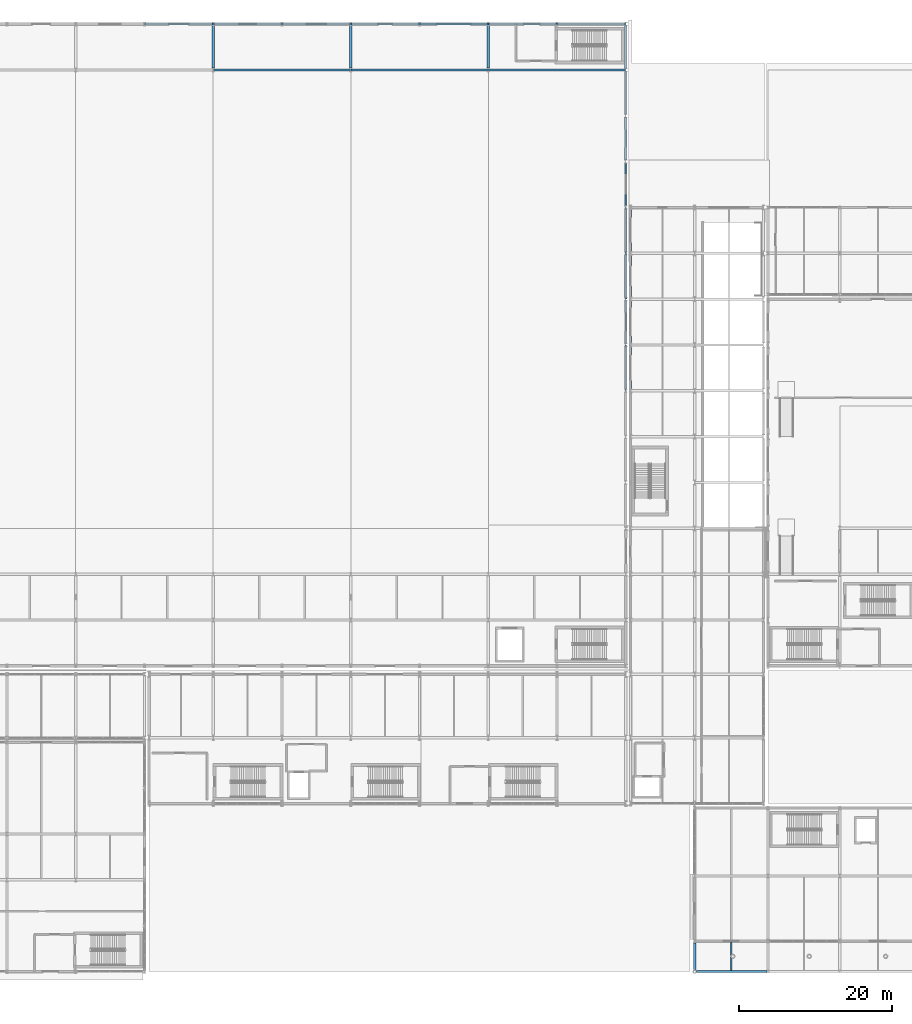
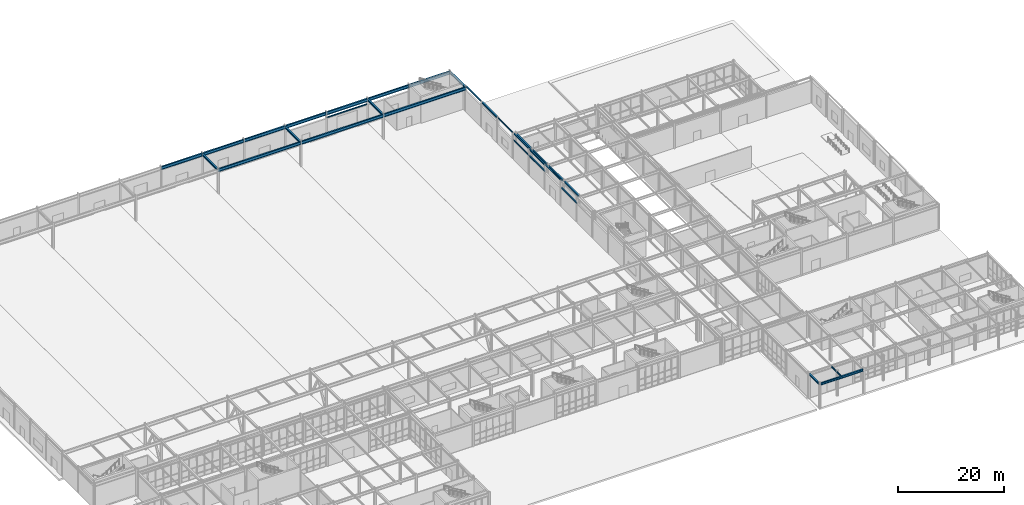
# One storey, part 69 of 146: 31 beams.
"""IFC4 building model written with IfcOpenShell, lengths in metres."""

from ifc_helpers import new_model, si_unit, direction, frame, origin, origin_2d, place, context, subcontext, project, spatial, i_section, extrude, material, material_profile, profile_set, type_object, element, save


model = new_model("IFC4")

# Units and contexts
model_context = context("Model", 3, precision=1e-05, world=origin(), true_north=direction((0.0, 1.0)))
body_context = subcontext(model_context, "Body", "Model", "MODEL_VIEW")
ifc_project = project(units=[si_unit("LENGTHUNIT", "METRE"), si_unit("AREAUNIT", "SQUARE_METRE"), si_unit("VOLUMEUNIT", "CUBIC_METRE"), si_unit("PLANEANGLEUNIT", "RADIAN"), si_unit("MASSUNIT", "GRAM", prefix="KILO")], contexts=[model_context])

# Site, building, storey
site_placement = place(None, origin())
site = spatial("IfcSite", under=ifc_project, at=site_placement, CompositionType="ELEMENT")
building_placement = place(site_placement, origin())
building = spatial("IfcBuilding", under=site, at=building_placement, Name="Kaldris Quays Convention Centre", CompositionType="ELEMENT")
storey_placement = place(building_placement, origin())
storey = spatial("IfcBuildingStorey", under=building, at=storey_placement, Name="L00", CompositionType="ELEMENT", Elevation=0.0)

# Beams
ifc_material = material(Name="Steel S355J2", Category="steel")
ifc_material_profile_1 = material_profile(ifc_material, i_section(OverallWidth=0.300048828125, OverallDepth=0.699951171875, WebThickness=0.01708984375, FlangeThickness=0.031982421875, FilletRadius=0.027099609375, at=origin_2d()), Name="HEB 700")
ifc_profile_set_1 = profile_set([ifc_material_profile_1], Name="Steel S355J2")
beam_type_1 = type_object("IfcBeamType", Name="STRUCTURAL BEAM BM04", PredefinedType="BEAM", material=ifc_profile_set_1)
for number, where, z_axis, x_axis, name in (
    (1, (92.0009765625, 134.0, 5.3330078125), (1.0, 0.0, 0.0), (0.0, 1.0, 0.0), "L00 Girder BM04 33"),
    (2, (110.0009765625, 134.0, 5.3330078125), (1.0, 0.0, 0.0), (0.0, 1.0, 0.0), "L00 Girder BM04 34"),
):
    element("IfcBeam", number, at=place(storey_placement, frame(where, z_axis=z_axis, x_axis=x_axis)), inside=storey, type_object=beam_type_1, Name=name, PredefinedType="BEAM", context=body_context, shape_type="SweptSolid", body=[
        extrude(i_section(OverallWidth=0.300048828125, OverallDepth=0.699951171875, WebThickness=0.01708984375, FlangeThickness=0.031982421875, FilletRadius=0.027099609375, at=origin_2d()), origin(), (0.0, 0.0, 1.0), 17.998046875),
    ])
beam_1_placement = place(storey_placement, frame((128.0009765625, 134.0, 5.3330078125), z_axis=(1.0, 0.0, 0.0), x_axis=(0.0, 1.0, 0.0)))
element("IfcBeam", 3, at=beam_1_placement, inside=storey, type_object=beam_type_1, Name="L00 Girder BM04 35", PredefinedType="BEAM", context=body_context, shape_type="SweptSolid", body=[
    extrude(i_section(OverallWidth=0.300048828125, OverallDepth=0.699951171875, WebThickness=0.01708984375, FlangeThickness=0.031982421875, FilletRadius=0.027099609375, at=origin_2d()), origin(), (0.0, 0.0, 1.0), 17.99462890625),
])
for number, where, z_axis, x_axis, name in (
    (4, (83.00439453125, 140.0, 5.3330078125), (1.0, 0.0, 0.0), (0.0, 1.0, 0.0), "L00 Girder BM04 43"),
    (5, (92.00439453125, 140.0, 5.3330078125), (1.0, 0.0, 0.0), (0.0, 1.0, 0.0), "L00 Girder BM04 44"),
    (6, (101.00439453125, 140.0, 5.3330078125), (1.0, 0.0, 0.0), (0.0, 1.0, 0.0), "L00 Girder BM04 45"),
    (7, (110.00439453125, 140.0, 5.3330078125), (1.0, 0.0, 0.0), (0.0, 1.0, 0.0), "L00 Girder BM04 46"),
    (8, (119.00439453125, 140.0, 5.3330078125), (1.0, 0.0, 0.0), (0.0, 1.0, 0.0), "L00 Girder BM04 47"),
    (9, (128.00439453125, 140.0, 5.3330078125), (1.0, 0.0, 0.0), (0.0, 1.0, 0.0), "L00 Girder BM04 48"),
    (10, (137.00439453125, 140.0, 5.3330078125), (1.0, 0.0, 0.0), (0.0, 1.0, 0.0), "L00 Girder BM04 49"),
):
    element("IfcBeam", number, at=place(storey_placement, frame(where, z_axis=z_axis, x_axis=x_axis)), inside=storey, type_object=beam_type_1, Name=name, PredefinedType="BEAM", context=body_context, shape_type="SweptSolid", body=[
        extrude(i_section(OverallWidth=0.300048828125, OverallDepth=0.699951171875, WebThickness=0.01708984375, FlangeThickness=0.031982421875, FilletRadius=0.027099609375, at=origin_2d()), origin(), (0.0, 0.0, 1.0), 8.9912109375),
    ])
ifc_material_profile_2 = material_profile(ifc_material, i_section(OverallWidth=0.300048828125, OverallDepth=0.5, WebThickness=0.014404296875, FlangeThickness=0.028076171875, FilletRadius=0.027099609375, at=origin_2d()), Name="HEB 500")
ifc_profile_set_2 = profile_set([ifc_material_profile_2], Name="Steel S355J2")
beam_type_2 = type_object("IfcBeamType", Name="STRUCTURAL BEAM BM06", PredefinedType="BEAM", material=ifc_profile_set_2)
for number, where, z_axis, x_axis, name in (
    (11, (92.0, 134.218994140625, 5.43310546875), (0.0, 1.0, 0.0), (-1.0, 0.0, 0.0), "L00 Girder BM06 64"),
    (12, (110.0, 134.218994140625, 5.43310546875), (0.0, 1.0, 0.0), (-1.0, 0.0, 0.0), "L00 Girder BM06 67"),
    (13, (128.0, 134.218994140625, 5.43310546875), (0.0, 1.0, 0.0), (-1.0, 0.0, 0.0), "L00 Girder BM06 70"),
):
    element("IfcBeam", number, at=place(storey_placement, frame(where, z_axis=z_axis, x_axis=x_axis)), inside=storey, type_object=beam_type_2, Name=name, PredefinedType="BEAM", context=body_context, shape_type="SweptSolid", body=[
        extrude(i_section(OverallWidth=0.300048828125, OverallDepth=0.5, WebThickness=0.014404296875, FlangeThickness=0.028076171875, FilletRadius=0.027099609375, at=origin_2d()), origin(), (0.0, 0.0, 1.0), 5.571044921875),
    ])
beam_2_placement = place(storey_placement, frame((146.0, 134.2099609375, 5.43310546875), z_axis=(0.0, 1.0, 0.0), x_axis=(-1.0, 0.0, 0.0)))
element("IfcBeam", 14, at=beam_2_placement, inside=storey, type_object=beam_type_2, Name="L00 Girder BM06 73", PredefinedType="BEAM", context=body_context, shape_type="SweptSolid", body=[
    extrude(i_section(OverallWidth=0.300048828125, OverallDepth=0.5, WebThickness=0.014404296875, FlangeThickness=0.028076171875, FilletRadius=0.027099609375, at=origin_2d()), origin(), (0.0, 0.0, 1.0), 5.580078125),
])
beam_3_placement = place(storey_placement, frame((155.222412109375, 16.0, 5.4951171875), z_axis=(1.0, 0.0, 0.0), x_axis=(0.0, 1.0, 0.0)))
element("IfcBeam", 15, at=beam_3_placement, inside=storey, type_object=beam_type_2, Name="L00 Girder BM06 1", PredefinedType="BEAM", context=body_context, shape_type="SweptSolid", body=[
    extrude(i_section(OverallWidth=0.300048828125, OverallDepth=0.5, WebThickness=0.014404296875, FlangeThickness=0.028076171875, FilletRadius=0.027099609375, at=origin_2d()), origin(), (0.0, 0.0, 1.0), 9.233642578125),
])
ifc_material_profile_3 = material_profile(ifc_material, i_section(OverallWidth=0.300048828125, OverallDepth=0.449951171875, WebThickness=0.013916015625, FlangeThickness=0.02587890625, FilletRadius=0.027099609375, at=origin_2d()), Name="HEB 450")
ifc_profile_set_3 = profile_set([ifc_material_profile_3], Name="Steel S355J2")
beam_type_3 = type_object("IfcBeamType", Name="STRUCTURAL BEAM BM07", PredefinedType="BEAM", material=ifc_profile_set_3)
for number, where, z_axis, x_axis, name in (
    (16, (146.60009765625, 92.2939453125, 5.498046875), (0.0, 1.0, 0.0), (-1.0, 0.0, 0.0), "L00 Girder BM07 74"),
    (17, (146.60009765625, 98.2939453125, 5.498046875), (0.0, 1.0, 0.0), (-1.0, 0.0, 0.0), "L00 Girder BM07 75"),
    (18, (146.60009765625, 104.2939453125, 5.498046875), (0.0, 1.0, 0.0), (-1.0, 0.0, 0.0), "L00 Girder BM07 76"),
    (19, (146.60009765625, 110.2939453125, 5.498046875), (0.0, 1.0, 0.0), (-1.0, 0.0, 0.0), "L00 Girder BM07 77"),
):
    element("IfcBeam", number, at=place(storey_placement, frame(where, z_axis=z_axis, x_axis=x_axis)), inside=storey, type_object=beam_type_3, Name=name, PredefinedType="BEAM", context=body_context, shape_type="SweptSolid", body=[
        extrude(i_section(OverallWidth=0.300048828125, OverallDepth=0.449951171875, WebThickness=0.013916015625, FlangeThickness=0.02587890625, FilletRadius=0.027099609375, at=origin_2d()), origin(), (0.0, 0.0, 1.0), 5.412109375),
    ])
ifc_material_profile_4 = material_profile(ifc_material, i_section(OverallWidth=0.300048828125, OverallDepth=0.43994140625, WebThickness=0.011474609375, FlangeThickness=0.02099609375, FilletRadius=0.027099609375, at=origin_2d()), Name="HEA 450")
ifc_profile_set_4 = profile_set([ifc_material_profile_4], Name="Steel S355J2")
beam_type_4 = type_object("IfcBeamType", Name="STRUCTURAL BEAM BM14", PredefinedType="BEAM", material=ifc_profile_set_4)
beam_4_placement = place(storey_placement, frame((155.0, 16.222412109375, 5.52294921875), z_axis=(0.0, 1.0, 0.0), x_axis=(-1.0, 0.0, 0.0)))
element("IfcBeam", 20, at=beam_4_placement, inside=storey, type_object=beam_type_4, Name="L00 Girder BM14 21", PredefinedType="BEAM", context=body_context, shape_type="SweptSolid", body=[
    extrude(i_section(OverallWidth=0.300048828125, OverallDepth=0.43994140625, WebThickness=0.011474609375, FlangeThickness=0.02099609375, FilletRadius=0.027099609375, at=origin_2d()), origin(), (0.0, 0.0, 1.0), 3.53369140625),
])
ifc_material_profile_5 = material_profile(ifc_material, i_section(OverallWidth=0.14990234375, OverallDepth=0.300048828125, WebThickness=0.007080078125, FlangeThickness=0.0107421875, FilletRadius=0.014892578125, at=origin_2d()), Name="IPE 300")
ifc_profile_set_5 = profile_set([ifc_material_profile_5], Name="Steel S355J2")
beam_type_5 = type_object("IfcBeamType", Name="STRUCTURAL BEAM JT04", PredefinedType="JOIST", material=ifc_profile_set_5)
beam_5_placement = place(storey_placement, frame((159.800048828125, 16.14404296875, 5.593017578125), z_axis=(0.0, 1.0, 0.0), x_axis=(-1.0, 0.0, 0.0)))
element("IfcBeam", 21, at=beam_5_placement, inside=storey, type_object=beam_type_5, Name="L00 Secondary Joist JT04 1", PredefinedType="JOIST", context=body_context, shape_type="SweptSolid", body=[
    extrude(i_section(OverallWidth=0.14990234375, OverallDepth=0.300048828125, WebThickness=0.007080078125, FlangeThickness=0.0107421875, FilletRadius=0.014892578125, at=origin_2d()), origin(), (0.0, 0.0, 1.0), 3.7119140625),
])
ifc_material_profile_6 = material_profile(ifc_material, i_section(OverallWidth=0.260009765625, OverallDepth=0.25, WebThickness=0.007568359375, FlangeThickness=0.012451171875, FilletRadius=0.02392578125, at=origin_2d()), Name="HEA 260")
ifc_profile_set_6 = profile_set([ifc_material_profile_6], Name="Steel S355J2")
beam_type_6 = type_object("IfcBeamType", Name="STRUCTURAL BEAM LN01", PredefinedType="LINTEL", material=ifc_profile_set_6)
beam_6_placement = place(storey_placement, frame((146.0, 104.02001953125, 4.35009765625), z_axis=(0.0, 1.0, 0.0), x_axis=(-1.0, 0.0, 0.0)))
element("IfcBeam", 22, at=beam_6_placement, inside=storey, type_object=beam_type_6, Name="L00 Heavy Portal Lintel Beam LN01 3", PredefinedType="LINTEL", context=body_context, shape_type="SweptSolid", body=[
    extrude(i_section(OverallWidth=0.260009765625, OverallDepth=0.25, WebThickness=0.007568359375, FlangeThickness=0.012451171875, FilletRadius=0.02392578125, at=origin_2d()), origin(), (0.0, 0.0, 1.0), 5.9599609375),
])
ifc_material_profile_7 = material_profile(ifc_material, i_section(OverallWidth=0.219970703125, OverallDepth=0.2099609375, WebThickness=0.007080078125, FlangeThickness=0.010986328125, FilletRadius=0.01806640625, at=origin_2d()), Name="HEA 220")
ifc_profile_set_7 = profile_set([ifc_material_profile_7], Name="Steel S355J2")
beam_type_7 = type_object("IfcBeamType", Name="STRUCTURAL BEAM LN02", PredefinedType="LINTEL", material=ifc_profile_set_7)
beam_7_placement = place(storey_placement, frame((146.0, 92.02001953125, 4.35009765625), z_axis=(0.0, 1.0, 0.0), x_axis=(-1.0, 0.0, 0.0)))
element("IfcBeam", 23, at=beam_7_placement, inside=storey, type_object=beam_type_7, Name="L00 Heavy Portal Lintel Beam LN02 2", PredefinedType="LINTEL", context=body_context, shape_type="SweptSolid", body=[
    extrude(i_section(OverallWidth=0.219970703125, OverallDepth=0.2099609375, WebThickness=0.007080078125, FlangeThickness=0.010986328125, FilletRadius=0.01806640625, at=origin_2d()), origin(), (0.0, 0.0, 1.0), 5.9599609375),
])
beam_8_placement = place(storey_placement, frame((119.02001953125, 140.0, 4.35009765625), z_axis=(1.0, 0.0, 0.0), x_axis=(0.0, 1.0, 0.0)))
element("IfcBeam", 24, at=beam_8_placement, inside=storey, type_object=beam_type_7, Name="L00 Heavy Portal Lintel Beam LN02 5", PredefinedType="LINTEL", context=body_context, shape_type="SweptSolid", body=[
    extrude(i_section(OverallWidth=0.219970703125, OverallDepth=0.2099609375, WebThickness=0.007080078125, FlangeThickness=0.010986328125, FilletRadius=0.01806640625, at=origin_2d()), origin(), (0.0, 0.0, 1.0), 8.9599609375),
])
ifc_material_profile_8 = material_profile(ifc_material, i_section(OverallWidth=0.199951171875, OverallDepth=0.18994140625, WebThickness=0.006591796875, FlangeThickness=0.010009765625, FilletRadius=0.01806640625, at=origin_2d()), Name="HEA 200")
ifc_profile_set_8 = profile_set([ifc_material_profile_8], Name="Steel S355J2")
beam_type_8 = type_object("IfcBeamType", Name="STRUCTURAL BEAM LN03", PredefinedType="LINTEL", material=ifc_profile_set_8)
beam_9_placement = place(storey_placement, frame((146.0, 110.02001953125, 4.35009765625), z_axis=(0.0, 1.0, 0.0), x_axis=(-1.0, 0.0, 0.0)))
element("IfcBeam", 25, at=beam_9_placement, inside=storey, type_object=beam_type_8, Name="L00 Heavy Portal Lintel Beam LN03 4", PredefinedType="LINTEL", context=body_context, shape_type="SweptSolid", body=[
    extrude(i_section(OverallWidth=0.199951171875, OverallDepth=0.18994140625, WebThickness=0.006591796875, FlangeThickness=0.010009765625, FilletRadius=0.01806640625, at=origin_2d()), origin(), (0.0, 0.0, 1.0), 5.9599609375),
])
ifc_material_profile_9 = material_profile(ifc_material, i_section(OverallWidth=0.300048828125, OverallDepth=0.35009765625, WebThickness=0.010009765625, FlangeThickness=0.017578125, FilletRadius=0.027099609375, at=origin_2d()), Name="HEA 360")
ifc_profile_set_9 = profile_set([ifc_material_profile_9], Name="Steel S355J2")
beam_type_9 = type_object("IfcBeamType", Name="STRUCTURAL BEAM SP02", PredefinedType="SPANDREL", material=ifc_profile_set_9)
for number, where, z_axis, x_axis, name in (
    (26, (146.0, 104.195068359375, 5.824951171875), (0.0, 1.0, 0.0), (-1.0, 0.0, 0.0), "L00 Perimeter Wall-Bearing Spandrel SP02 14"),
    (27, (146.0, 122.195068359375, 5.824951171875), (0.0, 1.0, 0.0), (-1.0, 0.0, 0.0), "L00 Perimeter Wall-Bearing Spandrel SP02 20"),
):
    element("IfcBeam", number, at=place(storey_placement, frame(where, z_axis=z_axis, x_axis=x_axis)), inside=storey, type_object=beam_type_9, Name=name, PredefinedType="SPANDREL", context=body_context, shape_type="SweptSolid", body=[
        extrude(i_section(OverallWidth=0.300048828125, OverallDepth=0.35009765625, WebThickness=0.010009765625, FlangeThickness=0.017578125, FilletRadius=0.027099609375, at=origin_2d()), origin(), (0.0, 0.0, 1.0), 5.60986328125),
    ])
ifc_material_profile_10 = material_profile(ifc_material, i_section(OverallWidth=0.239990234375, OverallDepth=0.22998046875, WebThickness=0.007568359375, FlangeThickness=0.011962890625, FilletRadius=0.02099609375, at=origin_2d()), Name="HEA 240")
ifc_profile_set_10 = profile_set([ifc_material_profile_10], Name="Steel S355J2")
beam_type_10 = type_object("IfcBeamType", Name="STRUCTURAL BEAM SP04", PredefinedType="SPANDREL", material=ifc_profile_set_10)
for number, where, z_axis, x_axis, name in (
    (28, (146.0, 110.195068359375, 5.885009765625), (0.0, 1.0, 0.0), (-1.0, 0.0, 0.0), "L00 Perimeter Wall-Bearing Spandrel SP04 16"),
    (29, (146.0, 128.195068359375, 5.885009765625), (0.0, 1.0, 0.0), (-1.0, 0.0, 0.0), "L00 Perimeter Wall-Bearing Spandrel SP04 22"),
):
    element("IfcBeam", number, at=place(storey_placement, frame(where, z_axis=z_axis, x_axis=x_axis)), inside=storey, type_object=beam_type_10, Name=name, PredefinedType="SPANDREL", context=body_context, shape_type="SweptSolid", body=[
        extrude(i_section(OverallWidth=0.239990234375, OverallDepth=0.22998046875, WebThickness=0.007568359375, FlangeThickness=0.011962890625, FilletRadius=0.02099609375, at=origin_2d()), origin(), (0.0, 0.0, 1.0), 5.60986328125),
    ])
ifc_material_profile_11 = material_profile(ifc_material, i_section(OverallWidth=0.199951171875, OverallDepth=0.199951171875, WebThickness=0.009033203125, FlangeThickness=0.014892578125, FilletRadius=0.01806640625, at=origin_2d()), Name="HEB 200")
ifc_profile_set_11 = profile_set([ifc_material_profile_11], Name="Steel S355J2")
beam_type_11 = type_object("IfcBeamType", Name="STRUCTURAL BEAM SP06", PredefinedType="SPANDREL", material=ifc_profile_set_11)
for number, where, z_axis, x_axis, name in (
    (30, (146.0, 98.195068359375, 5.89990234375), (0.0, 1.0, 0.0), (-1.0, 0.0, 0.0), "L00 Perimeter Wall-Bearing Spandrel SP06 12"),
    (31, (146.0, 116.195068359375, 5.89990234375), (0.0, 1.0, 0.0), (-1.0, 0.0, 0.0), "L00 Perimeter Wall-Bearing Spandrel SP06 18"),
):
    element("IfcBeam", number, at=place(storey_placement, frame(where, z_axis=z_axis, x_axis=x_axis)), inside=storey, type_object=beam_type_11, Name=name, PredefinedType="SPANDREL", context=body_context, shape_type="SweptSolid", body=[
        extrude(i_section(OverallWidth=0.199951171875, OverallDepth=0.199951171875, WebThickness=0.009033203125, FlangeThickness=0.014892578125, FilletRadius=0.01806640625, at=origin_2d()), origin(), (0.0, 0.0, 1.0), 5.60986328125),
    ])

save(model, "model.ifc")
